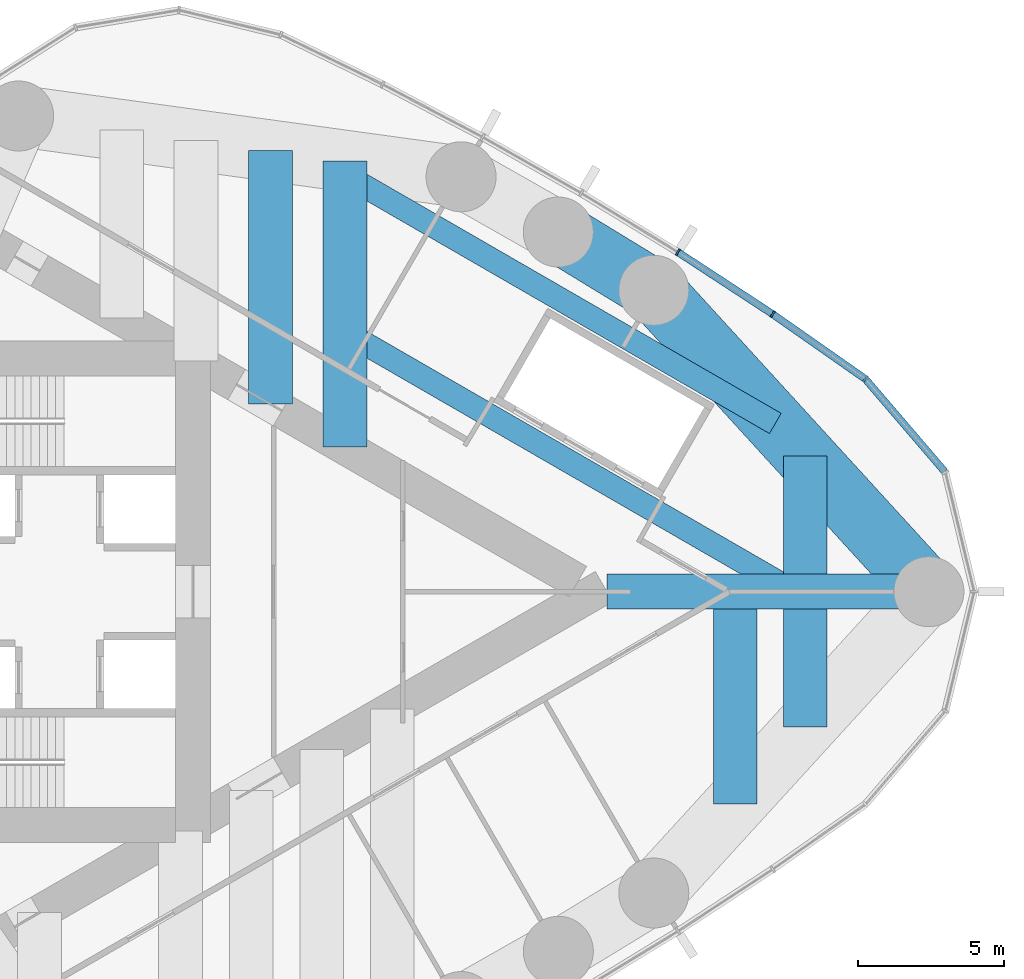
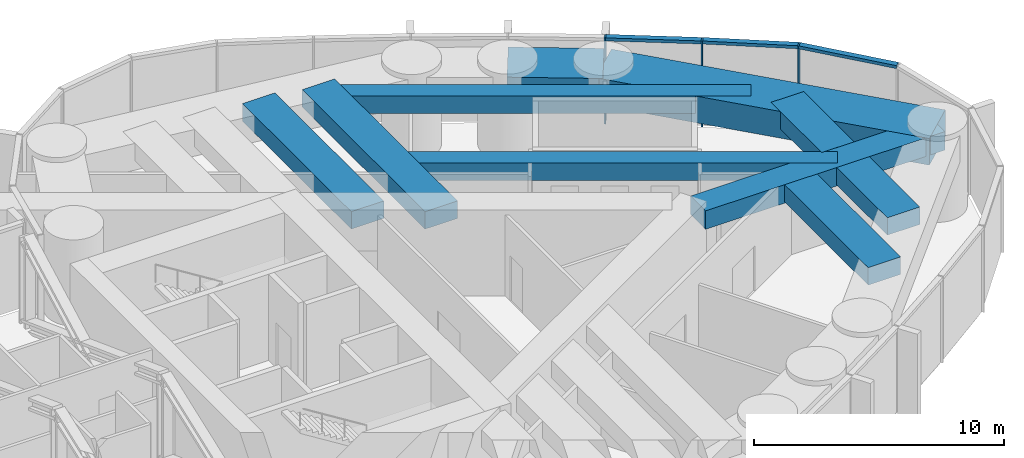
# One storey, part 10 of 23: 10 beams, 6 members, 1 element without a shape of its own.
"""IFC4 building model written with IfcOpenShell, lengths in metres."""

from ifc_helpers import new_model, si_unit, direction, frame, origin, origin_2d, place, context, subcontext, project, spatial, rectangle, hollow_rectangle, extrude, material, material_profile, profile_set, type_object, element, aggregate, save


model = new_model("IFC4")

# Units and contexts
model_context = context("Model", 3, precision=1e-05, world=origin(), true_north=direction((0.0, 1.0)))
body_context = subcontext(model_context, "Body", "Model", "MODEL_VIEW")
ifc_project = project(units=[si_unit("LENGTHUNIT", "METRE"), si_unit("AREAUNIT", "SQUARE_METRE"), si_unit("VOLUMEUNIT", "CUBIC_METRE"), si_unit("PLANEANGLEUNIT", "RADIAN"), si_unit("MASSUNIT", "GRAM", prefix="KILO")], contexts=[model_context])

# Site, building, storey
site_placement = place(None, origin())
site = spatial("IfcSite", under=ifc_project, at=site_placement, CompositionType="ELEMENT")
building_placement = place(site_placement, origin())
building = spatial("IfcBuilding", under=site, at=building_placement, Name="Lancet Gate Hotel", CompositionType="ELEMENT")
storey_placement = place(building_placement, frame((0.0, 0.0, 247.699951171875)))
storey = spatial("IfcBuildingStorey", under=building, at=storey_placement, Name="L66", CompositionType="ELEMENT", Elevation=247.699951171875)

# Curtain wall, members
ifc_material_1 = material(Name="Aluminium curtain wall", Category="aluminium")
curtain_wall_type = type_object("IfcCurtainWallType", Name="Sky deck full-height glazing", PredefinedType="USERDEFINED", material=ifc_material_1)
curtain_wall_placement = place(storey_placement, origin())
curtain_wall = element("IfcCurtainWall", 1, at=curtain_wall_placement, inside=storey, type_object=curtain_wall_type, Name="T2 L66 curtain wall 1", ObjectType="UNITISED CURTAIN WALL", PredefinedType="USERDEFINED")
ifc_material_2 = material(Name="Aluminium mullion", Category="aluminium")
ifc_material_profile_1 = material_profile(ifc_material_2, rectangle(XDim=0.06494140625, YDim=0.25, at=origin_2d()), Name="MULLION 65x250")
ifc_profile_set_1 = profile_set([ifc_material_profile_1], Name="Aluminium mullion")
member_type_1 = type_object("IfcMemberType", Name="Aluminium mullion 65x250", PredefinedType="MULLION", material=ifc_profile_set_1)
member_1_placement = place(storey_placement, frame((60.367431640625, 7.291259765625, 0.0), z_axis=(0.0, 0.0, 1.0), x_axis=(-0.737323173512, 0.675540182226, 0.0)))
member_1 = element("IfcMember", 2, at=member_1_placement, type_object=member_type_1, Name="T2 L66 curtain wall 1 mullion 16", PredefinedType="MULLION", context=body_context, shape_type="SweptSolid", body=[
    extrude(rectangle(XDim=0.06494140625, YDim=0.25, at=origin_2d()), origin(), (0.0, 0.0, 1.0), 4.199951171875),
])
member_2_placement = place(storey_placement, frame((57.185791015625, 9.518310546875, 0.0), z_axis=(0.0, 0.0, 1.0), x_axis=(-0.828154697184, 0.560499596371, 0.0)))
member_2 = element("IfcMember", 3, at=member_2_placement, type_object=member_type_1, Name="T2 L66 curtain wall 1 mullion 17", PredefinedType="MULLION", context=body_context, shape_type="SweptSolid", body=[
    extrude(rectangle(XDim=0.06494140625, YDim=0.25, at=origin_2d()), origin(), (0.0, 0.0, 1.0), 4.199951171875),
])
member_3_placement = place(storey_placement, frame((53.935791015625, 11.644287109375, 0.0), z_axis=(0.0, 0.0, 1.0), x_axis=(-0.845339753513, 0.534229071777, 0.0)))
member_3 = element("IfcMember", 4, at=member_3_placement, type_object=member_type_1, Name="T2 L66 curtain wall 1 mullion 18", PredefinedType="MULLION", context=body_context, shape_type="SweptSolid", body=[
    extrude(rectangle(XDim=0.06494140625, YDim=0.25, at=origin_2d()), origin(), (0.0, 0.0, 1.0), 4.199951171875),
])
ifc_material_3 = material(Name="Aluminium transom", Category="aluminium")
ifc_material_profile_2 = material_profile(ifc_material_3, rectangle(XDim=0.25, YDim=0.14990234375, at=origin_2d()), Name="TRANSOM 250x150")
ifc_profile_set_2 = profile_set([ifc_material_profile_2], Name="Aluminium transom")
member_type_2 = type_object("IfcMemberType", Name="Aluminium transom 250x150", PredefinedType="USERDEFINED", material=ifc_profile_set_2)
member_4_placement = place(storey_placement, frame((63.08544921875, 4.118408203125, 4.125), z_axis=(-0.650592500186, 0.759427019997, 0.0), x_axis=(-0.759427019997, -0.650592500186, 0.0)))
member_4 = element("IfcMember", 5, at=member_4_placement, type_object=member_type_2, Name="T2 L66 curtain wall 1 transom 15", ObjectType="TRANSOM", PredefinedType="USERDEFINED", context=body_context, shape_type="SweptSolid", body=[
    extrude(rectangle(XDim=0.25, YDim=0.14990234375, at=origin_2d()), origin(), (0.0, 0.0, 1.0), 4.1455078125),
])
member_5_placement = place(storey_placement, frame((60.3408203125, 7.31005859375, 4.125), z_axis=(-0.819255948852, 0.573428016642, 0.0), x_axis=(-0.573428016642, -0.819255948852, 0.0)))
member_5 = element("IfcMember", 6, at=member_5_placement, type_object=member_type_2, Name="T2 L66 curtain wall 1 transom 16", ObjectType="TRANSOM", PredefinedType="USERDEFINED", context=body_context, shape_type="SweptSolid", body=[
    extrude(rectangle(XDim=0.25, YDim=0.14990234375, at=origin_2d()), origin(), (0.0, 0.0, 1.0), 3.818603515625),
])
member_6_placement = place(storey_placement, frame((57.158447265625, 9.5361328125, 4.125), z_axis=(-0.836858089593, 0.547419891749, 0.0), x_axis=(-0.547419891749, -0.836858089593, 0.0)))
member_6 = element("IfcMember", 7, at=member_6_placement, type_object=member_type_2, Name="T2 L66 curtain wall 1 transom 17", ObjectType="TRANSOM", PredefinedType="USERDEFINED", context=body_context, shape_type="SweptSolid", body=[
    extrude(rectangle(XDim=0.25, YDim=0.14990234375, at=origin_2d()), origin(), (0.0, 0.0, 1.0), 3.818603515625),
])
aggregate(curtain_wall, [member_1, member_2, member_3, member_4, member_5, member_6])

# Beams
ifc_material_4 = material(Name="Concrete C50/60", Category="concrete")
ifc_material_profile_3 = material_profile(ifc_material_4, rectangle(XDim=2.10009765625, YDim=1.300048828125, at=origin_2d()), Name="RC 2100x1300")
ifc_profile_set_3 = profile_set([ifc_material_profile_3], Name="Concrete C50/60")
beam_type_1 = type_object("IfcBeamType", Name="Edge beam RC 2100x1300", PredefinedType="SPANDREL", material=ifc_profile_set_3)
beam_1_placement = place(storey_placement, frame((62.54150390625, 0.0, 3.300048828125), z_axis=(-0.674209372947, 0.738540263919, 0.0), x_axis=(-0.738540263919, -0.674209372947, 0.0)))
element("IfcBeam", 8, at=beam_1_placement, inside=storey, type_object=beam_type_1, Name="T2 edge beam EB1 L66", PredefinedType="SPANDREL", context=body_context, shape_type="SweptSolid", body=[
    extrude(rectangle(XDim=2.10009765625, YDim=1.300048828125, at=origin_2d()), origin(), (0.0, 0.0, 1.0), 13.992431640625),
])
beam_2_placement = place(storey_placement, frame((53.107666015625, 10.333984375, 3.300048828125), z_axis=(-0.853604257265, 0.520922040212, 0.0), x_axis=(-0.520922040212, -0.853604257265, 0.0)))
element("IfcBeam", 9, at=beam_2_placement, inside=storey, type_object=beam_type_1, Name="T2 edge beam EB1 L66", PredefinedType="SPANDREL", context=body_context, shape_type="SweptSolid", body=[
    extrude(rectangle(XDim=2.10009765625, YDim=1.300048828125, at=origin_2d()), origin(), (0.0, 0.0, 1.0), 3.835205078125),
])
ifc_material_5 = material(Name="Concrete C50/60", Category="concrete")
ifc_material_profile_4 = material_profile(ifc_material_5, rectangle(XDim=1.5, YDim=0.85009765625, at=origin_2d()), Name="RC 1500x850")
ifc_profile_set_4 = profile_set([ifc_material_profile_4], Name="Concrete C50/60")
beam_type_2 = type_object("IfcBeamType", Name="Floor beam RC 1500x850", PredefinedType="BEAM", material=ifc_profile_set_4)
beam_3_placement = place(storey_placement, frame((39.9658203125, 6.429443359375, 3.525146484375), z_axis=(0.0, 1.0, 0.0), x_axis=(-1.0, 0.0, 0.0)))
element("IfcBeam", 10, at=beam_3_placement, inside=storey, type_object=beam_type_2, Name="T2 floor beam F06N L66", PredefinedType="BEAM", context=body_context, shape_type="SweptSolid", body=[
    extrude(rectangle(XDim=1.5, YDim=0.85009765625, at=origin_2d()), origin(), (0.0, 0.0, 1.0), 8.694091796875),
])
beam_4_placement = place(storey_placement, frame((42.51904296875, 4.95556640625, 3.525146484375), z_axis=(0.0, 1.0, 0.0), x_axis=(-1.0, 0.0, 0.0)))
element("IfcBeam", 11, at=beam_4_placement, inside=storey, type_object=beam_type_2, Name="T2 floor beam F08N L66", PredefinedType="BEAM", context=body_context, shape_type="SweptSolid", body=[
    extrude(rectangle(XDim=1.5, YDim=0.85009765625, at=origin_2d()), origin(), (0.0, 0.0, 1.0), 9.817138671875),
])
beam_5_placement = place(storey_placement, frame((55.90234375, -7.272705078125, 3.525146484375), z_axis=(0.0, 1.0, 0.0), x_axis=(-1.0, 0.0, 0.0)))
element("IfcBeam", 12, at=beam_5_placement, inside=storey, type_object=beam_type_2, Name="T2 floor beam F10S L66", PredefinedType="BEAM", context=body_context, shape_type="SweptSolid", body=[
    extrude(rectangle(XDim=1.5, YDim=0.85009765625, at=origin_2d()), origin(), (0.0, 0.0, 1.0), 6.672607421875),
])
for number, where, z_axis, x_axis, name in (
    (13, (58.30224609375, -4.643798828125, 3.525146484375), (0.0, 1.0, 0.0), (-1.0, 0.0, 0.0), "T2 floor beam F12S L66"),
    (14, (58.30224609375, 0.60009765625, 3.525146484375), (0.0, 1.0, 0.0), (-1.0, 0.0, 0.0), "T2 floor beam F13N L66"),
):
    element("IfcBeam", number, at=place(storey_placement, frame(where, z_axis=z_axis, x_axis=x_axis)), inside=storey, type_object=beam_type_2, Name=name, PredefinedType="BEAM", context=body_context, shape_type="SweptSolid", body=[
        extrude(rectangle(XDim=1.5, YDim=0.85009765625, at=origin_2d()), origin(), (0.0, 0.0, 1.0), 4.043701171875),
    ])
ifc_material_6 = material(Name="Concrete C50/60", Category="concrete")
ifc_material_profile_5 = material_profile(ifc_material_6, rectangle(XDim=1.199951171875, YDim=0.89990234375, at=origin_2d()), Name="RC 1200x900")
ifc_profile_set_5 = profile_set([ifc_material_profile_5], Name="Concrete C50/60")
beam_type_3 = type_object("IfcBeamType", Name="Radial floor beam RC 1200x900", PredefinedType="BEAM", material=ifc_profile_set_5)
beam_6_placement = place(storey_placement, frame((62.54150390625, 0.0, 3.5), z_axis=(-1.0, 0.0, 0.0), x_axis=(0.0, -1.0, 0.0)))
element("IfcBeam", 15, at=beam_6_placement, inside=storey, type_object=beam_type_3, Name="T2 radial beam CA L66", PredefinedType="BEAM", context=body_context, shape_type="SweptSolid", body=[
    extrude(rectangle(XDim=1.199951171875, YDim=0.89990234375, at=origin_2d()), origin(), (0.0, 0.0, 1.0), 11.039306640625),
])
ifc_material_7 = material(Name="Steel S460QL", Category="steel")
ifc_material_profile_6 = material_profile(ifc_material_7, hollow_rectangle(XDim=0.800048828125, YDim=0.85009765625, WallThickness=0.080078125, at=origin_2d()), Name="BOX 850x800x80")
ifc_profile_set_6 = profile_set([ifc_material_profile_6], Name="Steel S460QL")
beam_type_4 = type_object("IfcBeamType", Name="Trimmer beam BOX 850x800x80", PredefinedType="BEAM", material=ifc_profile_set_6)
beam_7_placement = place(storey_placement, frame((42.51904296875, 14.289794921875, 3.525146484375), z_axis=(0.865991109766, -0.500059394279, 0.0), x_axis=(0.500059394279, 0.865991109766, 0.0)))
element("IfcBeam", 16, at=beam_7_placement, inside=storey, type_object=beam_type_4, Name="T2 trimmer beam TR01N L66", PredefinedType="BEAM", context=body_context, shape_type="SweptSolid", body=[
    extrude(hollow_rectangle(XDim=0.800048828125, YDim=0.85009765625, WallThickness=0.080078125, at=origin_2d()), origin(), (0.0, 0.0, 1.0), 17.0390625),
])
beam_8_placement = place(storey_placement, frame((42.51904296875, 8.90185546875, 3.525146484375), z_axis=(0.865994419471, -0.500053662566, 0.0), x_axis=(0.500053662566, 0.865994419471, 0.0)))
element("IfcBeam", 17, at=beam_8_placement, inside=storey, type_object=beam_type_4, Name="T2 trimmer beam TR02N L66", PredefinedType="BEAM", context=body_context, shape_type="SweptSolid", body=[
    extrude(hollow_rectangle(XDim=0.800048828125, YDim=0.85009765625, WallThickness=0.080078125, at=origin_2d()), origin(), (0.0, 0.0, 1.0), 17.8017578125),
])

save(model, "model.ifc")
